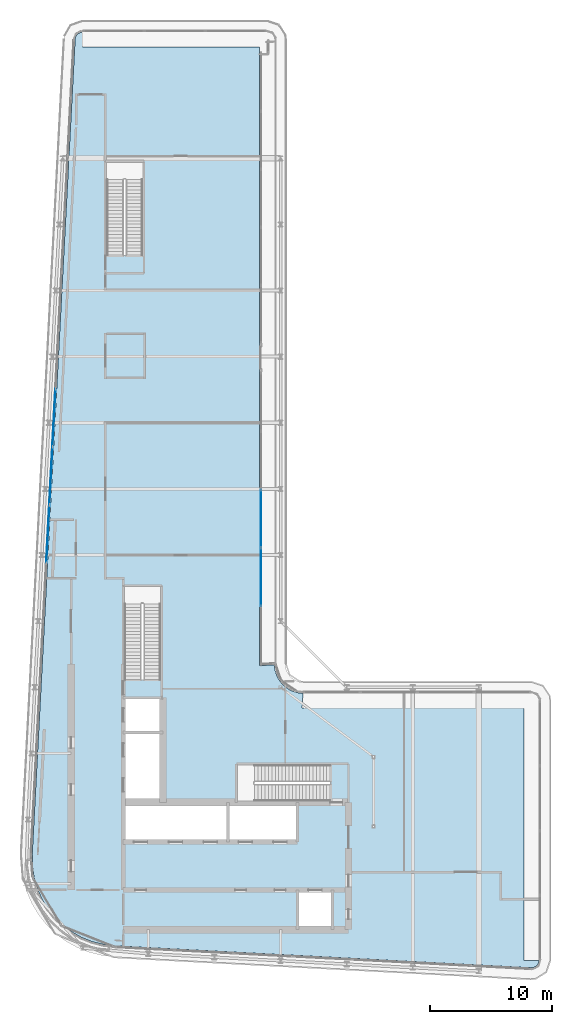
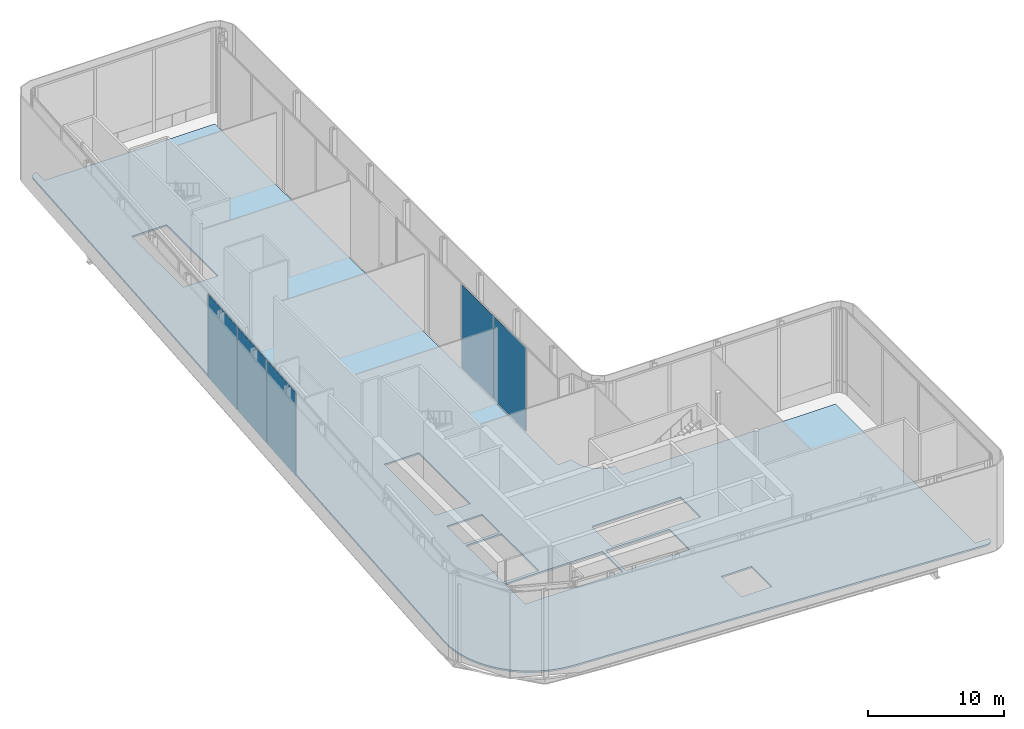
# One storey, part 17 of 28: 5 plates, 1 slab, 2 elements without a shape of their own.
"""IFC4 building model written with IfcOpenShell, lengths in metres."""

from ifc_helpers import new_model, si_unit, direction, frame, origin, origin_2d, place, context, subcontext, project, spatial, polyline, rectangle, outline, extrude, material, layer, layer_set, type_object, element, aggregate, save


model = new_model("IFC4")

# Units and contexts
model_context = context("Model", 3, precision=1e-05, world=origin(), true_north=direction((0.0, 1.0)))
body_context = subcontext(model_context, "Body", "Model", "MODEL_VIEW")
ifc_project = project(units=[si_unit("LENGTHUNIT", "METRE"), si_unit("AREAUNIT", "SQUARE_METRE"), si_unit("VOLUMEUNIT", "CUBIC_METRE"), si_unit("PLANEANGLEUNIT", "RADIAN"), si_unit("MASSUNIT", "GRAM", prefix="KILO")], contexts=[model_context])

# Site, building, storey
site_placement = place(None, origin())
site = spatial("IfcSite", under=ifc_project, at=site_placement, CompositionType="ELEMENT")
building_placement = place(site_placement, origin())
building = spatial("IfcBuilding", under=site, at=building_placement, Name="Kheshtan School and Residences Tower", CompositionType="ELEMENT")
storey_placement = place(building_placement, frame((0.0, 0.0, 325.39990234375)))
storey = spatial("IfcBuildingStorey", under=building, at=storey_placement, Name="L77", CompositionType="ELEMENT", Elevation=325.39990234375)

# Curtain wall, plates
ifc_material_1 = material(Name="Clear low-e glass in thermally broken aluminium frame", Category="aluminium")
ifc_layer_1 = layer(ifc_material_1, 0.25)
ifc_layer_set_1 = layer_set([ifc_layer_1], Name="Curtain wall CW-G")
curtain_wall_type_1 = type_object("IfcCurtainWallType", Name="Curtain wall CW-G", PredefinedType="NOTDEFINED", material=ifc_layer_set_1)
curtain_wall_1_placement = place(storey_placement, origin())
curtain_wall_1 = element("IfcCurtainWall", 1, at=curtain_wall_1_placement, inside=storey, type_object=curtain_wall_type_1, Name="Curtain wall CWG15a", PredefinedType="NOTDEFINED")
ifc_layer_2 = layer(ifc_material_1, 0.0380859375)
ifc_layer_set_2 = layer_set([ifc_layer_2], Name="CW-G glass panel")
plate_type_1 = type_object("IfcPlateType", Name="CW-G glass panel", PredefinedType="CURTAIN_PANEL", material=ifc_layer_set_2)
plate_1_placement = place(storey_placement, frame((46.0, 59.364990234375, 0.0), z_axis=(0.0, 0.0, 1.0), x_axis=(0.0, -1.0, 0.0)))
plate_1 = element("IfcPlate", 2, at=plate_1_placement, type_object=plate_type_1, Name="CWG15a panel 3.1", PredefinedType="CURTAIN_PANEL", context=body_context, shape_type="SweptSolid", body=[
    extrude(rectangle(XDim=4.714111328125, YDim=0.0380859375, at=origin_2d()), origin(), (0.0, 0.0, 1.0), 7.489990234375),
])
plate_2_placement = place(storey_placement, frame((46.0, 54.591064453125, 0.0), z_axis=(0.0, 0.0, 1.0), x_axis=(0.0, -1.0, 0.0)))
plate_2 = element("IfcPlate", 3, at=plate_2_placement, type_object=plate_type_1, Name="CWG15a panel 4.1", PredefinedType="CURTAIN_PANEL", context=body_context, shape_type="SweptSolid", body=[
    extrude(rectangle(XDim=4.714111328125, YDim=0.0380859375, at=origin_2d()), origin(), (0.0, 0.0, 1.0), 7.489990234375),
])
aggregate(curtain_wall_1, [plate_1, plate_2])

ifc_layer_3 = layer(ifc_material_1, 0.25)
ifc_layer_set_3 = layer_set([ifc_layer_3], Name="Curtain wall CW-K")
curtain_wall_type_2 = type_object("IfcCurtainWallType", Name="Curtain wall CW-K", PredefinedType="NOTDEFINED", material=ifc_layer_set_3)
curtain_wall_2_placement = place(storey_placement, origin())
curtain_wall_2 = element("IfcCurtainWall", 4, at=curtain_wall_2_placement, inside=storey, type_object=curtain_wall_type_2, Name="Curtain wall CWK6b", PredefinedType="NOTDEFINED")
ifc_layer_4 = layer(ifc_material_1, 0.0380859375)
ifc_layer_set_4 = layer_set([ifc_layer_4], Name="CW-K glass panel")
plate_type_2 = type_object("IfcPlateType", Name="CW-K glass panel", PredefinedType="CURTAIN_PANEL", material=ifc_layer_set_4)
plate_3_placement = place(storey_placement, frame((28.595947265625, 58.113037109375, 0.0), z_axis=(0.0, 0.0, 1.0), x_axis=(0.05256513568, 0.998617497599, 0.0)))
plate_3 = element("IfcPlate", 5, at=plate_3_placement, type_object=plate_type_2, Name="CWK6b panel 6.1", PredefinedType="CURTAIN_PANEL", context=body_context, shape_type="SweptSolid", body=[
    extrude(rectangle(XDim=4.69873046875, YDim=0.0380859375, at=origin_2d()), origin(), (0.0, 0.0, 1.0), 7.489990234375),
])
plate_4_placement = place(storey_placement, frame((28.845947265625, 62.865234375, 0.0), z_axis=(0.0, 0.0, 1.0), x_axis=(0.05256513568, 0.998617497599, 0.0)))
plate_4 = element("IfcPlate", 6, at=plate_4_placement, type_object=plate_type_2, Name="CWK6b panel 7.1", PredefinedType="CURTAIN_PANEL", context=body_context, shape_type="SweptSolid", body=[
    extrude(rectangle(XDim=4.69873046875, YDim=0.0380859375, at=origin_2d()), origin(), (0.0, 0.0, 1.0), 7.489990234375),
])
plate_5_placement = place(storey_placement, frame((29.09619140625, 67.617431640625, 0.0), z_axis=(0.0, 0.0, 1.0), x_axis=(0.05256513568, 0.998617497599, 0.0)))
plate_5 = element("IfcPlate", 7, at=plate_5_placement, type_object=plate_type_2, Name="CWK6b panel 8.1", PredefinedType="CURTAIN_PANEL", context=body_context, shape_type="SweptSolid", body=[
    extrude(rectangle(XDim=4.69873046875, YDim=0.0380859375, at=origin_2d()), origin(), (0.0, 0.0, 1.0), 7.489990234375),
])
aggregate(curtain_wall_2, [plate_3, plate_4, plate_5])

# Slab
ifc_material_2 = material(Name="Concrete C40/50", Category="concrete")
ifc_layer_5 = layer(ifc_material_2, 0.14990234375)
ifc_layer_set_5 = layer_set([ifc_layer_5], Name="Floor slab 150 Concrete C40/50")
slab_type = type_object("IfcSlabType", Name="Floor slab 150 Concrete C40/50", PredefinedType="FLOOR", material=ifc_layer_set_5)
slab_placement = place(storey_placement, frame((0.0, 0.0, -0.14990234375)))
element("IfcSlab", 8, at=slab_placement, inside=storey, type_object=slab_type, Name="Floor slab L77", PredefinedType="FLOOR", context=body_context, shape_type="SweptSolid", body=[
    extrude(outline(polyline([(30.85693359375, 98.69189453125), (30.888916015625, 98.77001953125), (30.931884765625, 98.840087890625), (30.98291015625, 98.904052734375), (31.04296875, 98.9619140625), (31.10693359375, 99.008056640625), (31.18310546875, 99.047119140625), (31.260986328125, 99.074951171875), (31.341064453125, 99.092041015625), (31.423095703125, 99.097900390625), (31.423095703125, 97.902099609375), (31.423095703125, 97.90087890625), (31.424072265625, 97.89990234375), (31.425048828125, 97.89990234375), (45.85009765625, 97.89990234375), (45.85498046875, 97.89990234375), (45.860107421875, 97.89892578125), (45.864990234375, 97.89794921875), (45.868896484375, 97.89599609375), (45.8740234375, 97.89404296875), (45.8779296875, 97.89208984375), (45.882080078125, 97.888916015625), (45.885009765625, 97.885009765625), (45.888916015625, 97.882080078125), (45.89208984375, 97.8779296875), (45.89404296875, 97.8740234375), (45.89599609375, 97.868896484375), (45.89794921875, 97.864990234375), (45.89892578125, 97.860107421875), (45.89990234375, 97.85498046875), (45.89990234375, 97.85009765625), (45.89990234375, 97.39990234375), (45.89990234375, 47.501953125), (45.89990234375, 47.5009765625), (45.89990234375, 47.429931640625), (45.905029296875, 47.361083984375), (47.10205078125, 47.43994140625), (47.118896484375, 47.18603515625), (47.179931640625, 46.87890625), (47.281005859375, 46.5810546875), (47.419921875, 46.299072265625), (47.593994140625, 46.0390625), (47.801025390625, 45.801025390625), (48.0390625, 45.593994140625), (48.299072265625, 45.419921875), (48.5810546875, 45.281005859375), (48.87890625, 45.179931640625), (49.18603515625, 45.118896484375), (49.43994140625, 45.10205078125), (49.361083984375, 43.905029296875), (49.429931640625, 43.89990234375), (49.5, 43.89990234375), (49.5, 43.90087890625), (49.5009765625, 43.89990234375), (49.501953125, 43.89990234375), (67.449951171875, 43.89990234375), (67.455078125, 43.89990234375), (67.4599609375, 43.89892578125), (67.465087890625, 43.89794921875), (67.468994140625, 43.89599609375), (67.47412109375, 43.89404296875), (67.47802734375, 43.89208984375), (67.48193359375, 43.888916015625), (67.485107421875, 43.885009765625), (67.489013671875, 43.882080078125), (67.491943359375, 43.8779296875), (67.493896484375, 43.8740234375), (67.49609375, 43.868896484375), (67.498046875, 43.864990234375), (67.4990234375, 43.860107421875), (67.5, 43.85498046875), (67.5, 43.85009765625), (67.5, 23.2880859375), (67.5, 23.287109375), (67.5009765625, 23.285888671875), (67.501953125, 23.285888671875), (68.697998046875, 23.285888671875), (68.69189453125, 23.2060546875), (68.676025390625, 23.1259765625), (68.64892578125, 23.049072265625), (68.612060546875, 22.97705078125), (68.56689453125, 22.912109375), (68.511962890625, 22.85302734375), (68.448974609375, 22.801025390625), (68.381103515625, 22.758056640625), (68.306884765625, 22.72509765625), (68.22802734375, 22.701904296875), (68.14794921875, 22.68994140625), (68.0439453125, 22.68798828125), (68.0380859375, 22.68798828125), (34.056884765625, 24.47802734375), (33.114990234375, 24.590087890625), (32.215087890625, 24.819091796875), (31.35205078125, 25.1630859375), (30.541015625, 25.616943359375), (29.798095703125, 26.172119140625), (29.134033203125, 26.820068359375), (28.55908203125, 27.550048828125), (28.0849609375, 28.345947265625), (27.718017578125, 29.200927734375), (27.466064453125, 30.093994140625), (27.3330078125, 31.013916015625), (27.320068359375, 31.965087890625), (27.320068359375, 31.970947265625), (30.822021484375, 98.5009765625), (30.822998046875, 98.508056640625), (30.8359375, 98.613037109375), (30.85693359375, 98.69189453125)]), holes=[polyline([(51.72509765625, 28.925048828125), (49.125, 28.925048828125), (49.125, 25.925048828125), (51.72509765625, 25.925048828125), (51.72509765625, 28.925048828125)]), polyline([(43.175048828125, 33.074951171875), (43.175048828125, 36.074951171875), (34.875, 36.074951171875), (34.875, 33.074951171875), (43.175048828125, 33.074951171875)]), polyline([(43.425048828125, 36.074951171875), (43.425048828125, 33.074951171875), (48.875, 33.074951171875), (48.875, 36.074951171875), (43.425048828125, 36.074951171875)]), polyline([(51.64990234375, 37.699951171875), (51.64990234375, 39.25), (44.090087890625, 39.25), (44.090087890625, 36.300048828125), (51.639892578125, 36.300048828125), (51.639892578125, 37.699951171875), (51.64990234375, 37.699951171875)]), polyline([(37.875, 41.77490234375), (34.875, 41.77490234375), (34.875, 36.324951171875), (37.875, 36.324951171875), (37.875, 41.77490234375)]), polyline([(37.875, 44.625), (34.875, 44.625), (34.875, 42.02490234375), (37.875, 42.02490234375), (37.875, 44.625)]), polyline([(37.800048828125, 53.81005859375), (34.85009765625, 53.81005859375), (34.85009765625, 46.260009765625), (36.25, 46.260009765625), (36.25, 46.25), (37.800048828125, 46.25), (37.800048828125, 53.81005859375)]), polyline([(36.35009765625, 88.4599609375), (33.39990234375, 88.4599609375), (33.39990234375, 80.909912109375), (34.800048828125, 80.909912109375), (34.800048828125, 80.89990234375), (36.35009765625, 80.89990234375), (36.35009765625, 88.4599609375)])]), origin(), (0.0, 0.0, 1.0), 0.14990234375),
])

save(model, "model.ifc")
